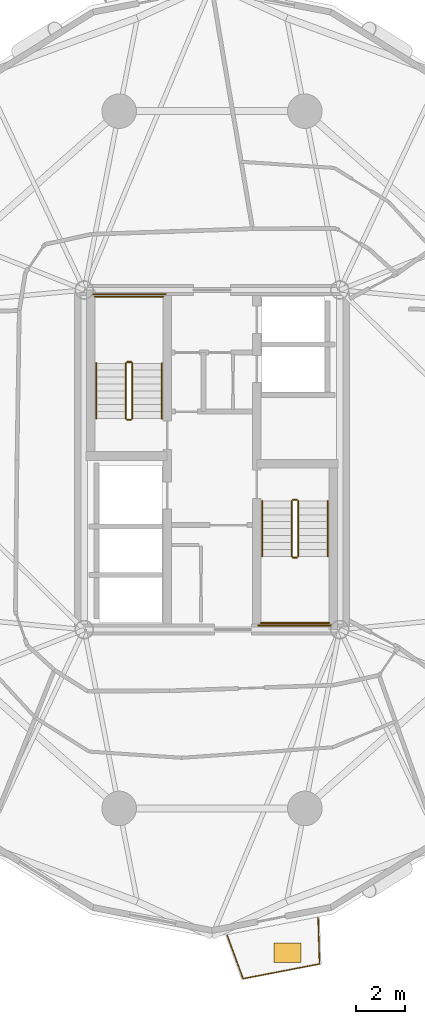
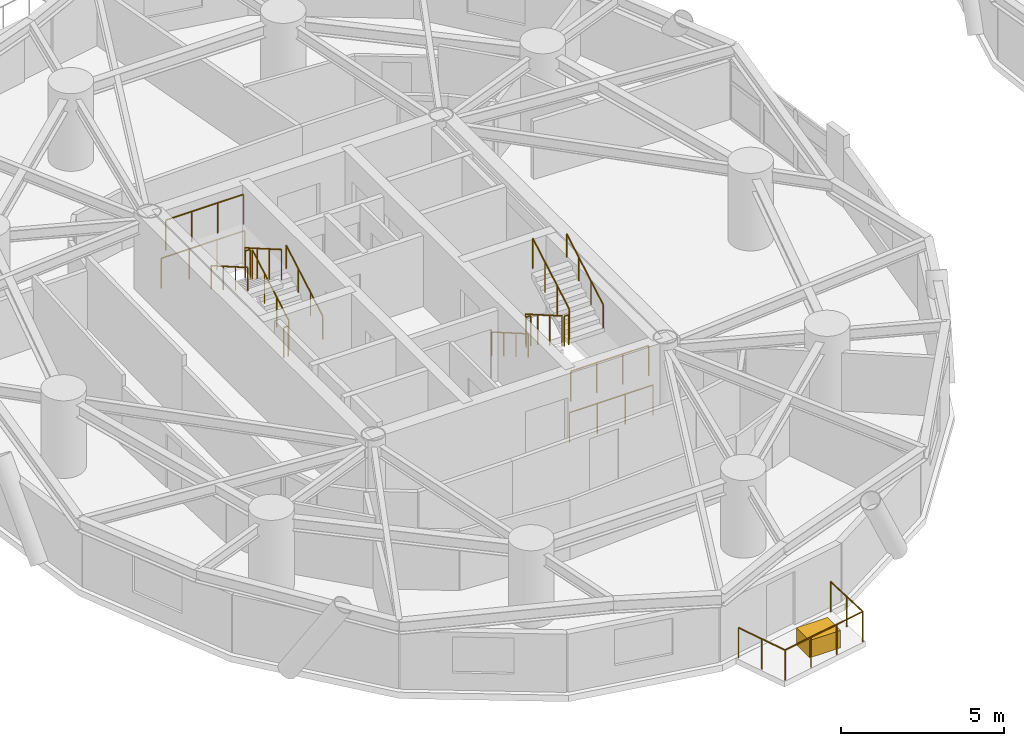
# One storey, part 16 of 18: 17 railings, 1 covering.
"""IFC4 building model written with IfcOpenShell, lengths in metres."""

from ifc_helpers import new_model, si_unit, direction, frame, origin, origin_2d, place, context, subcontext, project, spatial, rectangle, circle, extrude, source, transform, mapped, material, layer, layer_set, type_object, element, save


model = new_model("IFC4")

# Units and contexts
model_context = context("Model", 3, precision=1e-05, world=origin(), true_north=direction((0.0, 1.0)))
body_context = subcontext(model_context, "Body", "Model", "MODEL_VIEW")
ifc_project = project(units=[si_unit("LENGTHUNIT", "METRE"), si_unit("AREAUNIT", "SQUARE_METRE"), si_unit("VOLUMEUNIT", "CUBIC_METRE"), si_unit("PLANEANGLEUNIT", "RADIAN"), si_unit("MASSUNIT", "GRAM", prefix="KILO")], contexts=[model_context])

# Site, building, storey
site_placement = place(None, origin())
site = spatial("IfcSite", under=ifc_project, at=site_placement, CompositionType="ELEMENT")
building_placement = place(site_placement, origin())
building = spatial("IfcBuilding", under=site, at=building_placement, Name="Cununo Teusaquillo Station Towers", CompositionType="ELEMENT")
storey_placement = place(building_placement, frame((0.0, 0.0, 105.070068359375)))
storey = spatial("IfcBuildingStorey", under=building, at=storey_placement, Name="L33", CompositionType="ELEMENT", Elevation=105.070068359375)

# Railings
ifc_material_1 = material(Name="Anodised dark bronze aluminium EN AW-6063-T6", Category="aluminium")
railing_type_1 = type_object("IfcRailingType", Name="RL-EXT-GUARD", PredefinedType="GUARDRAIL", material=ifc_material_1)
railing_1_placement = place(storey_placement, frame((20.79833984375, 5.939453125, 0.0)))
element("IfcRailing", 1, at=railing_1_placement, inside=storey, type_object=railing_type_1, Name="L33 Tower A Balcony Guardrail C15", PredefinedType="GUARDRAIL", context=body_context, shape_type="SweptSolid", body=[
    extrude(circle(Radius=0.02392578125, at=origin_2d()), frame((0.0, 0.0, 1.1259765625), z_axis=(0.030662031384, -0.999529809376, 0.0), x_axis=(0.999529809376, 0.030662031384, 0.0)), (0.0, 0.0, 1.0), 1.86328125),
    extrude(circle(Radius=0.02392578125, at=origin_2d()), frame((0.05712890625, -1.8623046875, 1.1259765625), z_axis=(-0.981834317938, -0.189740275429, 0.0), x_axis=(0.189740275429, -0.981834317938, 0.0)), (0.0, 0.0, 1.0), 3.15380859375),
    extrude(circle(Radius=0.02392578125, at=origin_2d()), frame((-3.039306640625, -2.460693359375, 1.1259765625), z_axis=(-0.343962021681, 0.9389835609, 0.0), x_axis=(-0.9389835609, -0.343962021681, 0.0)), (0.0, 0.0, 1.0), 1.86328125),
    extrude(circle(Radius=0.02099609375, at=origin_2d()), origin(), (0.0, 0.0, 1.0), 1.101806640625),
    extrude(circle(Radius=0.02099609375, at=origin_2d()), frame((0.028564453125, -0.93115234375, 0.0)), (0.0, 0.0, 1.0), 1.101806640625),
    extrude(circle(Radius=0.02099609375, at=origin_2d()), frame((0.05712890625, -1.8623046875, 0.0)), (0.0, 0.0, 1.0), 1.101806640625),
    extrude(circle(Radius=0.02099609375, at=origin_2d()), frame((-0.97509765625, -2.061767578125, 0.0)), (0.0, 0.0, 1.0), 1.101806640625),
    extrude(circle(Radius=0.02099609375, at=origin_2d()), frame((-2.007080078125, -2.26123046875, 0.0)), (0.0, 0.0, 1.0), 1.101806640625),
    extrude(circle(Radius=0.02099609375, at=origin_2d()), frame((-3.039306640625, -2.460693359375, 0.0)), (0.0, 0.0, 1.0), 1.101806640625),
    extrude(circle(Radius=0.02099609375, at=origin_2d()), frame((-3.35986328125, -1.5859375, 0.0)), (0.0, 0.0, 1.0), 1.101806640625),
    extrude(circle(Radius=0.02099609375, at=origin_2d()), frame((-3.68017578125, -0.711181640625, 0.0)), (0.0, 0.0, 1.0), 1.101806640625),
])
ifc_material_2 = material(Name="Steel EN 10025-2 S355J2", Category="steel")
railing_type_2 = type_object("IfcRailingType", Name="RL-INT-GUARD", PredefinedType="GUARDRAIL", material=ifc_material_2)
railing_2_placement = place(storey_placement, frame((13.27001953125, 26.169921875, 0.16162109375)))
element("IfcRailing", 2, at=railing_2_placement, inside=storey, type_object=railing_type_2, Name="L33 ST-T1-1 stair guard 1", PredefinedType="GUARDRAIL", context=body_context, shape_type="SweptSolid", body=[
    extrude(circle(Radius=0.02392578125, at=origin_2d()), frame((0.0, 0.0, 1.1259765625), z_axis=(0.0, 0.866033117094, 0.499986639918), x_axis=(-1.0, 0.0, 0.0)), (0.0, 0.0, 1.0), 2.58642578125),
    extrude(circle(Radius=0.02099609375, at=origin_2d()), origin(), (0.0, 0.0, 1.0), 1.101806640625),
    extrude(circle(Radius=0.02099609375, at=origin_2d()), frame((0.0, 0.74658203125, 0.43115234375)), (0.0, 0.0, 1.0), 1.101806640625),
    extrude(circle(Radius=0.02099609375, at=origin_2d()), frame((0.0, 1.493408203125, 0.862060546875)), (0.0, 0.0, 1.0), 1.101806640625),
    extrude(circle(Radius=0.02099609375, at=origin_2d()), frame((0.0, 2.239990234375, 1.293212890625)), (0.0, 0.0, 1.0), 1.101806640625),
])
railing_3_placement = place(storey_placement, frame((13.219970703125, 28.4599609375, 1.454833984375)))
element("IfcRailing", 3, at=railing_3_placement, inside=storey, type_object=railing_type_2, Name="L33 ST-T1-1 stair guard 2", PredefinedType="GUARDRAIL", context=body_context, shape_type="SweptSolid", body=[
    extrude(circle(Radius=0.02392578125, at=origin_2d()), frame((0.0, 0.0, 1.1259765625), z_axis=(-1.0, 0.0, 0.0), x_axis=(0.0, -1.0, 0.0)), (0.0, 0.0, 1.0), 0.159912109375),
    extrude(circle(Radius=0.02099609375, at=origin_2d()), origin(), (0.0, 0.0, 1.0), 1.101806640625),
    extrude(circle(Radius=0.02099609375, at=origin_2d()), frame((-0.159912109375, 0.0, 0.0)), (0.0, 0.0, 1.0), 1.101806640625),
])
railing_4_placement = place(storey_placement, frame((14.52001953125, 31.110107421875, 1.454833984375)))
element("IfcRailing", 4, at=railing_4_placement, inside=storey, type_object=railing_type_2, Name="L33 ST-T1-1 stair guard 3", PredefinedType="GUARDRAIL", context=body_context, shape_type="SweptSolid", body=[
    extrude(circle(Radius=0.02392578125, at=origin_2d()), frame((0.0, 0.0, 1.1259765625), z_axis=(-1.0, 0.0, 0.0), x_axis=(0.0, -1.0, 0.0)), (0.0, 0.0, 1.0), 2.760009765625),
    extrude(circle(Radius=0.02099609375, at=origin_2d()), origin(), (0.0, 0.0, 1.0), 1.101806640625),
    extrude(circle(Radius=0.02099609375, at=origin_2d()), frame((-0.919921875, 0.0, 0.0)), (0.0, 0.0, 1.0), 1.101806640625),
    extrude(circle(Radius=0.02099609375, at=origin_2d()), frame((-1.840087890625, 0.0, 0.0)), (0.0, 0.0, 1.0), 1.101806640625),
    extrude(circle(Radius=0.02099609375, at=origin_2d()), frame((-2.760009765625, 0.0, 0.0)), (0.0, 0.0, 1.0), 1.101806640625),
])
railing_5_placement = place(storey_placement, frame((13.010009765625, 28.409912109375, 1.61669921875)))
element("IfcRailing", 5, at=railing_5_placement, inside=storey, type_object=railing_type_2, Name="L33 ST-T1-1 stair guard 4", PredefinedType="GUARDRAIL", context=body_context, shape_type="SweptSolid", body=[
    extrude(circle(Radius=0.02392578125, at=origin_2d()), frame((0.0, 0.0, 1.1259765625), z_axis=(0.0, -0.866033117094, 0.499986639918), x_axis=(1.0, 0.0, 0.0)), (0.0, 0.0, 1.0), 2.58642578125),
    extrude(circle(Radius=0.02099609375, at=origin_2d()), origin(), (0.0, 0.0, 1.0), 1.101806640625),
    extrude(circle(Radius=0.02099609375, at=origin_2d()), frame((0.0, -0.74658203125, 0.43115234375)), (0.0, 0.0, 1.0), 1.101806640625),
    extrude(circle(Radius=0.02099609375, at=origin_2d()), frame((0.0, -1.493408203125, 0.862060546875)), (0.0, 0.0, 1.0), 1.101806640625),
    extrude(circle(Radius=0.02099609375, at=origin_2d()), frame((0.0, -2.239990234375, 1.293212890625)), (0.0, 0.0, 1.0), 1.101806640625),
])
railing_6_placement = place(storey_placement, frame((13.219970703125, 26.1201171875, 0.0)))
element("IfcRailing", 6, at=railing_6_placement, inside=storey, type_object=railing_type_2, Name="L33 ST-T1-1 stair guard 5", PredefinedType="GUARDRAIL", context=body_context, shape_type="SweptSolid", body=[
    extrude(circle(Radius=0.02392578125, at=origin_2d()), frame((0.0, 0.0, 1.1259765625), z_axis=(-1.0, 0.0, 0.0), x_axis=(0.0, -1.0, 0.0)), (0.0, 0.0, 1.0), 0.159912109375),
    extrude(circle(Radius=0.02099609375, at=origin_2d()), origin(), (0.0, 0.0, 1.0), 1.101806640625),
    extrude(circle(Radius=0.02099609375, at=origin_2d()), frame((-0.159912109375, 0.0, 0.0)), (0.0, 0.0, 1.0), 1.101806640625),
])
railing_7_placement = place(storey_placement, frame((14.6201171875, 31.2099609375, 0.0)))
element("IfcRailing", 7, at=railing_7_placement, inside=storey, type_object=railing_type_2, Name="L33 ST-T1-1 stair guard 6", PredefinedType="GUARDRAIL", context=body_context, shape_type="SweptSolid", body=[
    extrude(circle(Radius=0.02392578125, at=origin_2d()), frame((0.0, 0.0, 1.1259765625), z_axis=(-1.0, 0.0, 0.0), x_axis=(0.0, -1.0, 0.0)), (0.0, 0.0, 1.0), 2.960205078125),
    extrude(circle(Radius=0.02099609375, at=origin_2d()), origin(), (0.0, 0.0, 1.0), 1.101806640625),
    extrude(circle(Radius=0.02099609375, at=origin_2d()), frame((-0.98681640625, 0.0, 0.0)), (0.0, 0.0, 1.0), 1.101806640625),
    extrude(circle(Radius=0.02099609375, at=origin_2d()), frame((-1.973388671875, 0.0, 0.0)), (0.0, 0.0, 1.0), 1.101806640625),
    extrude(circle(Radius=0.02099609375, at=origin_2d()), frame((-2.960205078125, 0.0, 0.0)), (0.0, 0.0, 1.0), 1.101806640625),
])
railing_8_placement = place(storey_placement, frame((19.72998046875, 22.830078125, 0.16162109375)))
element("IfcRailing", 8, at=railing_8_placement, inside=storey, type_object=railing_type_2, Name="L33 ST-T1-2 stair guard 1", PredefinedType="GUARDRAIL", context=body_context, shape_type="SweptSolid", body=[
    extrude(circle(Radius=0.02392578125, at=origin_2d()), frame((0.0, 0.0, 1.1259765625), z_axis=(0.0, -0.866033117094, 0.499986639918), x_axis=(1.0, 0.0, 0.0)), (0.0, 0.0, 1.0), 2.58642578125),
    extrude(circle(Radius=0.02099609375, at=origin_2d()), origin(), (0.0, 0.0, 1.0), 1.101806640625),
    extrude(circle(Radius=0.02099609375, at=origin_2d()), frame((0.0, -0.74658203125, 0.43115234375)), (0.0, 0.0, 1.0), 1.101806640625),
    extrude(circle(Radius=0.02099609375, at=origin_2d()), frame((0.0, -1.493408203125, 0.862060546875)), (0.0, 0.0, 1.0), 1.101806640625),
    extrude(circle(Radius=0.02099609375, at=origin_2d()), frame((0.0, -2.239990234375, 1.293212890625)), (0.0, 0.0, 1.0), 1.101806640625),
])
railing_9_placement = place(storey_placement, frame((19.780029296875, 20.5400390625, 1.454833984375)))
element("IfcRailing", 9, at=railing_9_placement, inside=storey, type_object=railing_type_2, Name="L33 ST-T1-2 stair guard 2", PredefinedType="GUARDRAIL", context=body_context, shape_type="SweptSolid", body=[
    extrude(circle(Radius=0.02392578125, at=origin_2d()), frame((0.0, 0.0, 1.1259765625), z_axis=(1.0, 0.0, 0.0), x_axis=(0.0, 1.0, 0.0)), (0.0, 0.0, 1.0), 0.159912109375),
    extrude(circle(Radius=0.02099609375, at=origin_2d()), origin(), (0.0, 0.0, 1.0), 1.101806640625),
    extrude(circle(Radius=0.02099609375, at=origin_2d()), frame((0.159912109375, 0.0, 0.0)), (0.0, 0.0, 1.0), 1.101806640625),
])
railing_10_placement = place(storey_placement, frame((18.47998046875, 17.889892578125, 1.454833984375)))
element("IfcRailing", 10, at=railing_10_placement, inside=storey, type_object=railing_type_2, Name="L33 ST-T1-2 stair guard 3", PredefinedType="GUARDRAIL", context=body_context, shape_type="SweptSolid", body=[
    extrude(circle(Radius=0.02392578125, at=origin_2d()), frame((0.0, 0.0, 1.1259765625), z_axis=(1.0, 0.0, 0.0), x_axis=(0.0, 1.0, 0.0)), (0.0, 0.0, 1.0), 2.760009765625),
    extrude(circle(Radius=0.02099609375, at=origin_2d()), origin(), (0.0, 0.0, 1.0), 1.101806640625),
    extrude(circle(Radius=0.02099609375, at=origin_2d()), frame((0.919921875, 0.0, 0.0)), (0.0, 0.0, 1.0), 1.101806640625),
    extrude(circle(Radius=0.02099609375, at=origin_2d()), frame((1.840087890625, 0.0, 0.0)), (0.0, 0.0, 1.0), 1.101806640625),
    extrude(circle(Radius=0.02099609375, at=origin_2d()), frame((2.760009765625, 0.0, 0.0)), (0.0, 0.0, 1.0), 1.101806640625),
])
railing_11_placement = place(storey_placement, frame((19.989990234375, 20.590087890625, 1.61669921875)))
element("IfcRailing", 11, at=railing_11_placement, inside=storey, type_object=railing_type_2, Name="L33 ST-T1-2 stair guard 4", PredefinedType="GUARDRAIL", context=body_context, shape_type="SweptSolid", body=[
    extrude(circle(Radius=0.02392578125, at=origin_2d()), frame((0.0, 0.0, 1.1259765625), z_axis=(0.0, 0.866033117094, 0.499986639918), x_axis=(-1.0, 0.0, 0.0)), (0.0, 0.0, 1.0), 2.58642578125),
    extrude(circle(Radius=0.02099609375, at=origin_2d()), origin(), (0.0, 0.0, 1.0), 1.101806640625),
    extrude(circle(Radius=0.02099609375, at=origin_2d()), frame((0.0, 0.74658203125, 0.43115234375)), (0.0, 0.0, 1.0), 1.101806640625),
    extrude(circle(Radius=0.02099609375, at=origin_2d()), frame((0.0, 1.493408203125, 0.862060546875)), (0.0, 0.0, 1.0), 1.101806640625),
    extrude(circle(Radius=0.02099609375, at=origin_2d()), frame((0.0, 2.239990234375, 1.293212890625)), (0.0, 0.0, 1.0), 1.101806640625),
])
railing_12_placement = place(storey_placement, frame((19.780029296875, 22.8798828125, 0.0)))
element("IfcRailing", 12, at=railing_12_placement, inside=storey, type_object=railing_type_2, Name="L33 ST-T1-2 stair guard 5", PredefinedType="GUARDRAIL", context=body_context, shape_type="SweptSolid", body=[
    extrude(circle(Radius=0.02392578125, at=origin_2d()), frame((0.0, 0.0, 1.1259765625), z_axis=(1.0, 0.0, 0.0), x_axis=(0.0, 1.0, 0.0)), (0.0, 0.0, 1.0), 0.159912109375),
    extrude(circle(Radius=0.02099609375, at=origin_2d()), origin(), (0.0, 0.0, 1.0), 1.101806640625),
    extrude(circle(Radius=0.02099609375, at=origin_2d()), frame((0.159912109375, 0.0, 0.0)), (0.0, 0.0, 1.0), 1.101806640625),
])
railing_13_placement = place(storey_placement, frame((18.3798828125, 17.7900390625, 0.0)))
element("IfcRailing", 13, at=railing_13_placement, inside=storey, type_object=railing_type_2, Name="L33 ST-T1-2 stair guard 6", PredefinedType="GUARDRAIL", context=body_context, shape_type="SweptSolid", body=[
    extrude(circle(Radius=0.02392578125, at=origin_2d()), frame((0.0, 0.0, 1.1259765625), z_axis=(1.0, 0.0, 0.0), x_axis=(0.0, 1.0, 0.0)), (0.0, 0.0, 1.0), 2.960205078125),
    extrude(circle(Radius=0.02099609375, at=origin_2d()), origin(), (0.0, 0.0, 1.0), 1.101806640625),
    extrude(circle(Radius=0.02099609375, at=origin_2d()), frame((0.98681640625, 0.0, 0.0)), (0.0, 0.0, 1.0), 1.101806640625),
    extrude(circle(Radius=0.02099609375, at=origin_2d()), frame((1.973388671875, 0.0, 0.0)), (0.0, 0.0, 1.0), 1.101806640625),
    extrude(circle(Radius=0.02099609375, at=origin_2d()), frame((2.960205078125, 0.0, 0.0)), (0.0, 0.0, 1.0), 1.101806640625),
])
ifc_material_3 = material(Name="Steel EN 10025-2 S355J2", Category="steel")
railing_type_3 = type_object("IfcRailingType", Name="RL-INT-HRAIL", PredefinedType="HANDRAIL", material=ifc_material_3)
railing_14_placement = place(storey_placement, frame((14.469970703125, 26.169921875, 0.16162109375)))
element("IfcRailing", 14, at=railing_14_placement, inside=storey, type_object=railing_type_3, Name="L33 ST-T1-1 stair handrail 1", PredefinedType="HANDRAIL", context=body_context, shape_type="SweptSolid", body=[
    extrude(circle(Radius=0.02392578125, at=origin_2d()), frame((0.0, 0.0, 0.8759765625), z_axis=(0.0, 0.866033117094, 0.499986639918), x_axis=(-1.0, 0.0, 0.0)), (0.0, 0.0, 1.0), 2.58642578125),
    extrude(circle(Radius=0.02099609375, at=origin_2d()), origin(), (0.0, 0.0, 1.0), 0.851806640625),
    extrude(circle(Radius=0.02099609375, at=origin_2d()), frame((0.0, 0.74658203125, 0.43115234375)), (0.0, 0.0, 1.0), 0.851806640625),
    extrude(circle(Radius=0.02099609375, at=origin_2d()), frame((0.0, 1.493408203125, 0.862060546875)), (0.0, 0.0, 1.0), 0.851806640625),
    extrude(circle(Radius=0.02099609375, at=origin_2d()), frame((0.0, 2.239990234375, 1.293212890625)), (0.0, 0.0, 1.0), 0.851806640625),
])
for number, where, name in (
    (15, (11.81005859375, 28.409912109375, 1.61669921875), "L33 ST-T1-1 stair handrail 2"),
    (16, (18.530029296875, 22.830078125, 0.16162109375), "L33 ST-T1-2 stair handrail 1"),
):
    element("IfcRailing", number, at=place(storey_placement, frame(where)), inside=storey, type_object=railing_type_3, Name=name, PredefinedType="HANDRAIL", context=body_context, shape_type="SweptSolid", body=[
        extrude(circle(Radius=0.02392578125, at=origin_2d()), frame((0.0, 0.0, 0.8759765625), z_axis=(0.0, -0.866033117094, 0.499986639918), x_axis=(1.0, 0.0, 0.0)), (0.0, 0.0, 1.0), 2.58642578125),
        extrude(circle(Radius=0.02099609375, at=origin_2d()), origin(), (0.0, 0.0, 1.0), 0.851806640625),
        extrude(circle(Radius=0.02099609375, at=origin_2d()), frame((0.0, -0.74658203125, 0.43115234375)), (0.0, 0.0, 1.0), 0.851806640625),
        extrude(circle(Radius=0.02099609375, at=origin_2d()), frame((0.0, -1.493408203125, 0.862060546875)), (0.0, 0.0, 1.0), 0.851806640625),
        extrude(circle(Radius=0.02099609375, at=origin_2d()), frame((0.0, -2.239990234375, 1.293212890625)), (0.0, 0.0, 1.0), 0.851806640625),
    ])
railing_15_placement = place(storey_placement, frame((21.18994140625, 20.590087890625, 1.61669921875)))
element("IfcRailing", 17, at=railing_15_placement, inside=storey, type_object=railing_type_3, Name="L33 ST-T1-2 stair handrail 2", PredefinedType="HANDRAIL", context=body_context, shape_type="SweptSolid", body=[
    extrude(circle(Radius=0.02392578125, at=origin_2d()), frame((0.0, 0.0, 0.8759765625), z_axis=(0.0, 0.866033117094, 0.499986639918), x_axis=(-1.0, 0.0, 0.0)), (0.0, 0.0, 1.0), 2.58642578125),
    extrude(circle(Radius=0.02099609375, at=origin_2d()), origin(), (0.0, 0.0, 1.0), 0.851806640625),
    extrude(circle(Radius=0.02099609375, at=origin_2d()), frame((0.0, 0.74658203125, 0.43115234375)), (0.0, 0.0, 1.0), 0.851806640625),
    extrude(circle(Radius=0.02099609375, at=origin_2d()), frame((0.0, 1.493408203125, 0.862060546875)), (0.0, 0.0, 1.0), 0.851806640625),
    extrude(circle(Radius=0.02099609375, at=origin_2d()), frame((0.0, 2.239990234375, 1.293212890625)), (0.0, 0.0, 1.0), 0.851806640625),
])

# Covering
ifc_material_4 = material(Name="Architectural GRC planter shell and engineered root-zone substrate", Category="concrete")
ifc_layer = layer(ifc_material_4, 0.64990234375)
ifc_layer_set = layer_set([ifc_layer], Name="Architectural GRC planter shell and engineered root-zone substrate")
covering_type = type_object("IfcCoveringType", Name="COV-TREE-PLANTER", PredefinedType="CLADDING", material=ifc_layer_set)
shared_shape = source(origin(), body_context, "Body", "SweptSolid", [
    extrude(rectangle(XDim=1.10009765625, YDim=0.800048828125, at=origin_2d()), origin(), (0.0, 0.0, 1.0), 0.64990234375),
])
covering_placement = place(storey_placement, frame((19.5537109375, 4.531494140625, 0.0), z_axis=(0.0, 0.0, 1.0), x_axis=(1.0, 0.0, 0.0)))
element("IfcCovering", 18, at=covering_placement, inside=storey, type_object=covering_type, Name="L33 Tower A Balcony Tree PLANTER C15", PredefinedType="CLADDING", context=body_context, shape_type="MappedRepresentation", body=[
    mapped(shared_shape, transform((0.0, 0.0, 0.0), x_axis=(1.0, 0.0, 0.0), y_axis=(0.0, 1.0, 0.0), z_axis=(0.0, 0.0, 1.0), scale=1.0)),
])

save(model, "model.ifc")
